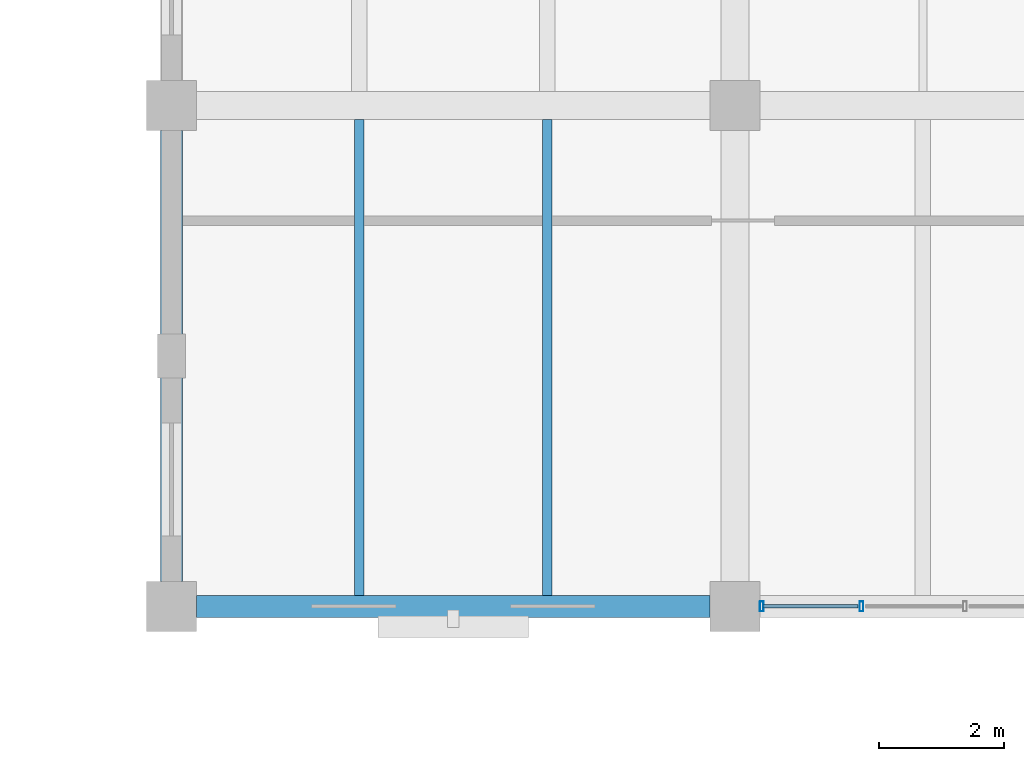
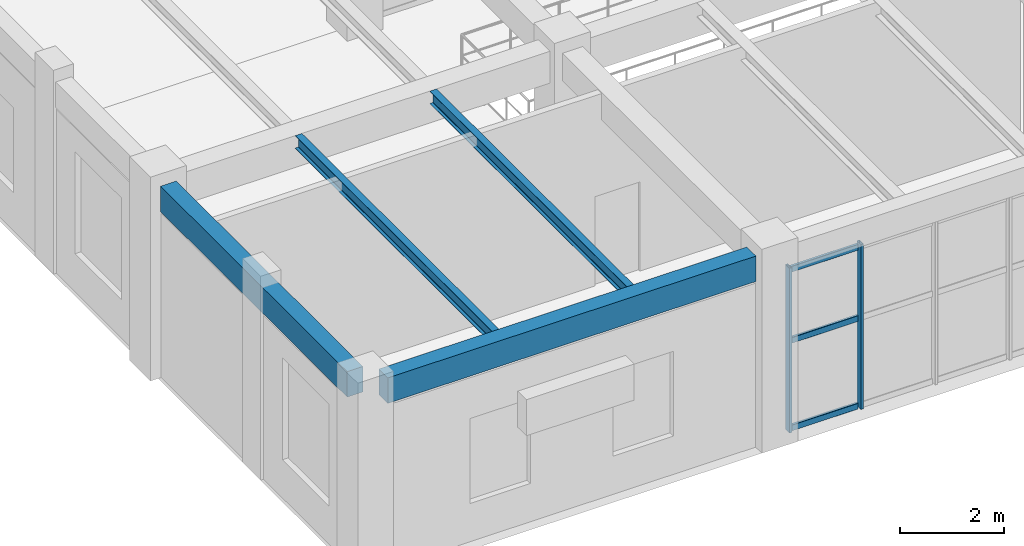
# One storey, part 45 of 178: 5 members, 4 beams, 1 element without a shape of its own.
"""IFC4 building model written with IfcOpenShell, lengths in metres."""

from ifc_helpers import new_model, si_unit, derived_unit, direction, frame, origin, origin_2d, place, context, subcontext, project, spatial, rectangle, hollow_rectangle, i_section, extrude, material, material_profile, profile_set, type_object, element, aggregate, save


model = new_model("IFC4")

# Units and contexts
model_context = context("Model", 3, precision=1e-05, world=origin(), true_north=direction((0.0, 1.0)))
body_context = subcontext(model_context, "Body", "Model", "MODEL_VIEW")
ifc_project = project(units=[si_unit("LENGTHUNIT", "METRE"), si_unit("AREAUNIT", "SQUARE_METRE"), si_unit("VOLUMEUNIT", "CUBIC_METRE"), si_unit("PLANEANGLEUNIT", "RADIAN"), si_unit("MASSUNIT", "GRAM", prefix="KILO"), derived_unit("THERMALTRANSMITTANCEUNIT", [(si_unit("MASSUNIT", "GRAM", prefix="KILO"), 1), (si_unit("TIMEUNIT", "SECOND"), -3), (si_unit("THERMODYNAMICTEMPERATUREUNIT", "KELVIN"), -1)])], contexts=[model_context])

# Site, building, storey
site_placement = place(None, origin())
site = spatial("IfcSite", under=ifc_project, at=site_placement, CompositionType="ELEMENT")
building_placement = place(site_placement, origin())
building = spatial("IfcBuilding", under=site, at=building_placement, Name="Zhenchuan Archway Interchange", CompositionType="ELEMENT")
storey_placement = place(building_placement, frame((0.0, 0.0, 5.39990234375)))
storey = spatial("IfcBuildingStorey", under=building, at=storey_placement, Name="L01", CompositionType="ELEMENT", Elevation=5.39990234375)

# Curtain wall, members
ifc_material_1 = material(Name="Anodised Aluminium", Category="aluminium")
curtain_wall_type = type_object("IfcCurtainWallType", Name="CW_UNIT_1", PredefinedType="NOTDEFINED", material=ifc_material_1)
curtain_wall_placement = place(storey_placement, origin())
curtain_wall = element("IfcCurtainWall", 1, at=curtain_wall_placement, inside=storey, type_object=curtain_wall_type, Name="Unitised curtain wall CW:L01:072", PredefinedType="NOTDEFINED")
ifc_material_profile_1 = material_profile(ifc_material_1, hollow_rectangle(XDim=0.06005859375, YDim=0.159912109375, WallThickness=0.00390625, InnerFilletRadius=0.00390625, OuterFilletRadius=0.008056640625, at=origin_2d()), Name="ALU 160x60x4")
ifc_profile_set_1 = profile_set([ifc_material_profile_1], Name="Anodised Aluminium")
member_type_1 = type_object("IfcMemberType", Name="CW_MUL_150", PredefinedType="MULLION", material=ifc_profile_set_1)
member_1_placement = place(storey_placement, frame((110.020751953125, 8.0, 0.0), z_axis=(0.0, 0.0, 1.0), x_axis=(1.0, 0.0, 0.0)))
member_1 = element("IfcMember", 2, at=member_1_placement, type_object=member_type_1, Name="CW:L01:072 mullion 4", PredefinedType="MULLION", context=body_context, shape_type="SweptSolid", body=[
    extrude(hollow_rectangle(XDim=0.06005859375, YDim=0.159912109375, WallThickness=0.00390625, InnerFilletRadius=0.00390625, OuterFilletRadius=0.008056640625, at=origin_2d()), origin(), (0.0, 0.0, 1.0), 3.880126953125),
])
member_2_placement = place(storey_placement, frame((108.427978515625, 8.0, 0.0), z_axis=(0.0, 0.0, 1.0), x_axis=(1.0, 0.0, 0.0)))
member_2 = element("IfcMember", 3, at=member_2_placement, type_object=member_type_1, Name="CW:L01:072 mullion 5", PredefinedType="MULLION", context=body_context, shape_type="SweptSolid", body=[
    extrude(hollow_rectangle(XDim=0.06005859375, YDim=0.159912109375, WallThickness=0.00390625, InnerFilletRadius=0.00390625, OuterFilletRadius=0.008056640625, at=origin_2d()), origin(), (0.0, 0.0, 1.0), 3.880126953125),
])
ifc_material_profile_2 = material_profile(ifc_material_1, hollow_rectangle(XDim=0.06005859375, YDim=0.139892578125, WallThickness=0.00341796875, InnerFilletRadius=0.00341796875, OuterFilletRadius=0.007080078125, at=origin_2d()), Name="ALU 140x60x3.5")
ifc_profile_set_2 = profile_set([ifc_material_profile_2], Name="Anodised Aluminium")
member_type_2 = type_object("IfcMemberType", Name="CW_TRN_140", PredefinedType="USERDEFINED", material=ifc_profile_set_2)
member_3_placement = place(storey_placement, frame((109.960693359375, 8.0, 0.06005859375), z_axis=(-1.0, 0.0, 0.0), x_axis=(0.0, -1.0, 0.0)))
member_3 = element("IfcMember", 4, at=member_3_placement, type_object=member_type_2, Name="CW:L01:072 transom 4-1", ObjectType="TRANSOM", PredefinedType="USERDEFINED", context=body_context, shape_type="SweptSolid", body=[
    extrude(hollow_rectangle(XDim=0.06005859375, YDim=0.139892578125, WallThickness=0.00341796875, InnerFilletRadius=0.00341796875, OuterFilletRadius=0.007080078125, at=origin_2d()), origin(), (0.0, 0.0, 1.0), 1.5126953125),
])
member_4_placement = place(storey_placement, frame((109.960693359375, 8.0, 2.123046875), z_axis=(-1.0, 0.0, 0.0), x_axis=(0.0, -1.0, 0.0)))
member_4 = element("IfcMember", 5, at=member_4_placement, type_object=member_type_2, Name="CW:L01:072 transom 4-2", ObjectType="TRANSOM", PredefinedType="USERDEFINED", context=body_context, shape_type="SweptSolid", body=[
    extrude(hollow_rectangle(XDim=0.06005859375, YDim=0.139892578125, WallThickness=0.00341796875, InnerFilletRadius=0.00341796875, OuterFilletRadius=0.007080078125, at=origin_2d()), origin(), (0.0, 0.0, 1.0), 1.5126953125),
])
member_5_placement = place(storey_placement, frame((109.960693359375, 8.0, 3.800048828125), z_axis=(-1.0, 0.0, 0.0), x_axis=(0.0, -1.0, 0.0)))
member_5 = element("IfcMember", 6, at=member_5_placement, type_object=member_type_2, Name="CW:L01:072 transom 4-3", ObjectType="TRANSOM", PredefinedType="USERDEFINED", context=body_context, shape_type="SweptSolid", body=[
    extrude(hollow_rectangle(XDim=0.06005859375, YDim=0.139892578125, WallThickness=0.00341796875, InnerFilletRadius=0.00341796875, OuterFilletRadius=0.007080078125, at=origin_2d()), origin(), (0.0, 0.0, 1.0), 1.5126953125),
])
aggregate(curtain_wall, [member_1, member_2, member_3, member_4, member_5])

# Beams
ifc_material_2 = material(Name="Steel Q355", Category="steel")
ifc_material_profile_3 = material_profile(ifc_material_2, i_section(OverallWidth=0.14990234375, OverallDepth=0.300048828125, WebThickness=0.006591796875, FlangeThickness=0.009033203125, FilletRadius=0.012939453125, at=origin_2d()), Name="HN 300x150")
ifc_profile_set_3 = profile_set([ifc_material_profile_3], Name="Steel Q355")
beam_type_1 = type_object("IfcBeamType", Name="JST_STL_HN300", PredefinedType="JOIST", material=ifc_profile_set_3)
for number, where, z_axis, x_axis, name in (
    (7, (102.0, 8.175048828125, 4.360107421875), (0.0, 1.0, 0.0), (-1.0, 0.0, 0.0), "Secondary joist 12-13/B-C #1 (L01)"),
    (8, (105.0, 8.175048828125, 4.360107421875), (0.0, 1.0, 0.0), (-1.0, 0.0, 0.0), "Secondary joist 12-13/B-C #2 (L01)"),
):
    element("IfcBeam", number, at=place(storey_placement, frame(where, z_axis=z_axis, x_axis=x_axis)), inside=storey, type_object=beam_type_1, Name=name, PredefinedType="JOIST", context=body_context, shape_type="SweptSolid", body=[
        extrude(i_section(OverallWidth=0.14990234375, OverallDepth=0.300048828125, WebThickness=0.006591796875, FlangeThickness=0.009033203125, FilletRadius=0.012939453125, at=origin_2d()), origin(), (0.0, 0.0, 1.0), 7.599853515625),
    ])
ifc_material_3 = material(Name="Concrete C40", Category="concrete")
ifc_material_profile_4 = material_profile(ifc_material_3, rectangle(XDim=0.35009765625, YDim=0.60009765625, at=origin_2d()), Name="RC 350x600")
ifc_profile_set_4 = profile_set([ifc_material_profile_4], Name="Concrete C40")
beam_type_2 = type_object("IfcBeamType", Name="SP_RC_350x600", PredefinedType="SPANDREL", material=ifc_profile_set_4)
beam_1_placement = place(storey_placement, frame((99.39990234375, 8.0, 4.210205078125), z_axis=(1.0, 0.0, 0.0), x_axis=(0.0, 1.0, 0.0)))
element("IfcBeam", 9, at=beam_1_placement, inside=storey, type_object=beam_type_2, Name="Beam B:12-13 (L01)", PredefinedType="SPANDREL", context=body_context, shape_type="SweptSolid", body=[
    extrude(rectangle(XDim=0.35009765625, YDim=0.60009765625, at=origin_2d()), origin(), (0.0, 0.0, 1.0), 8.2001953125),
])
beam_2_placement = place(storey_placement, frame((99.0, 8.39990234375, 4.210205078125), z_axis=(0.0, 1.0, 0.0), x_axis=(-1.0, 0.0, 0.0)))
element("IfcBeam", 10, at=beam_2_placement, inside=storey, type_object=beam_type_2, Name="Beam 12:B-C (L01)", PredefinedType="SPANDREL", context=body_context, shape_type="SweptSolid", body=[
    extrude(rectangle(XDim=0.35009765625, YDim=0.60009765625, at=origin_2d()), origin(), (0.0, 0.0, 1.0), 7.2001953125),
])

save(model, "model.ifc")
